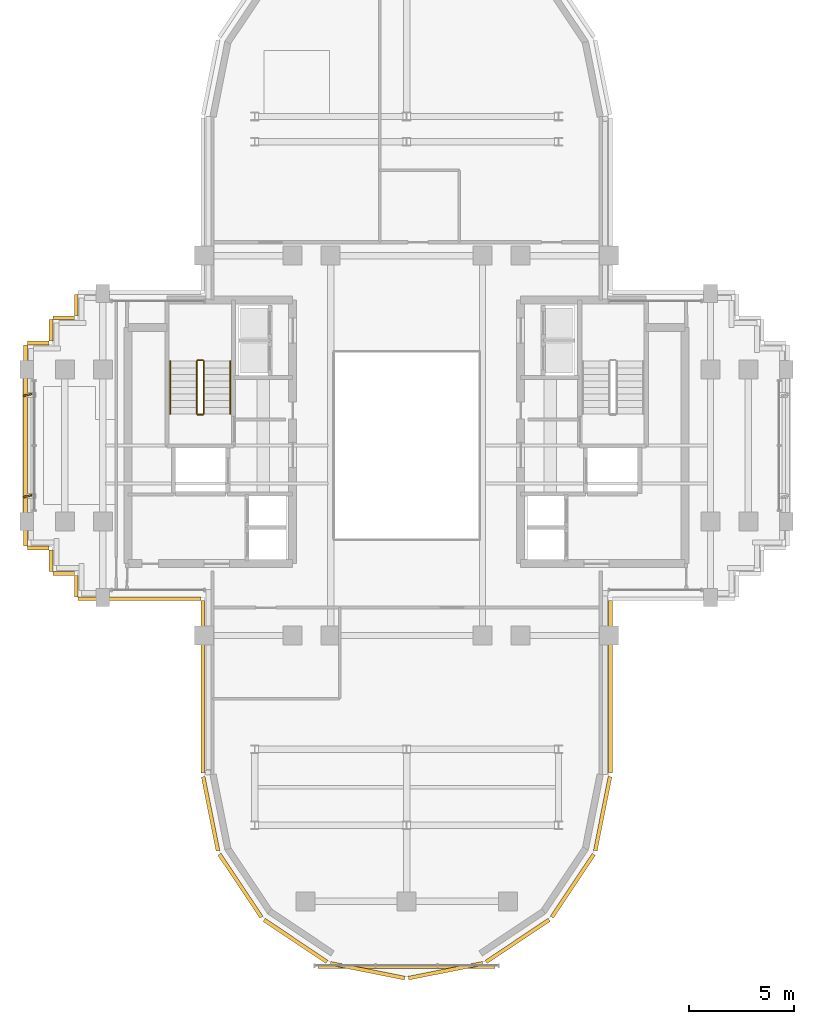
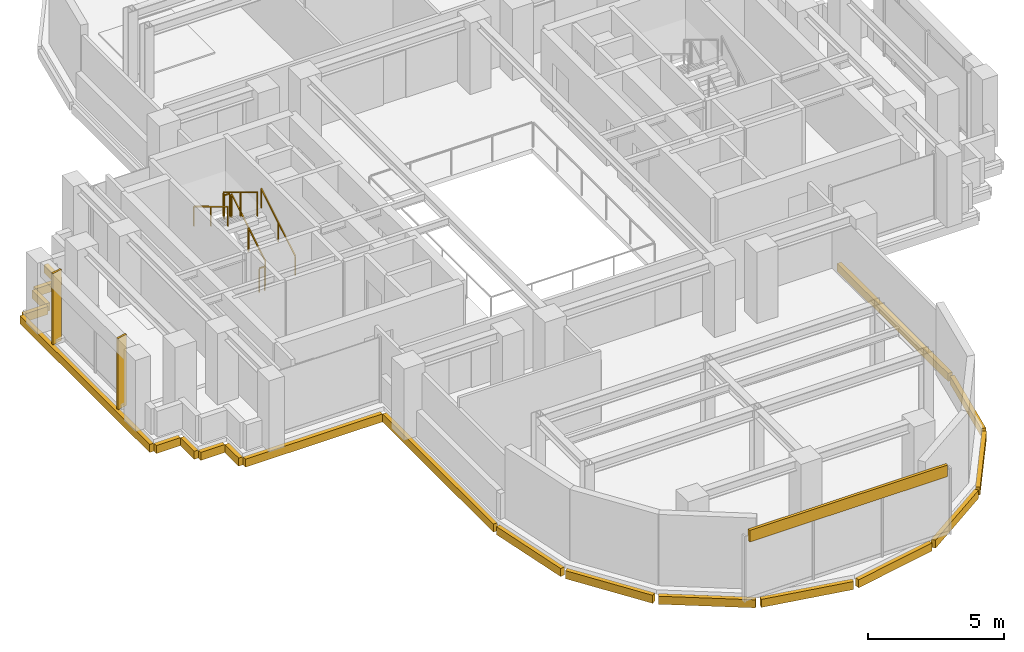
# One storey, part 9 of 12: 21 coverings, 6 railings, 2 shading devices.
"""IFC4 building model written with IfcOpenShell, lengths in metres."""

import ifcopenshell
import ifcopenshell.guid

model = None  # the IFC model being written
_history = None  # IfcOwnerHistory: only IFC2X3 demands one
_inside = {}  # id of a spatial element -> (the spatial element, [elements in it])
_under = {}  # id of a project, library or spatial element -> (it, [spatial elements below it])
_declared = {}  # id of a project -> (the project, [libraries it declares])
_typed = {}  # id of a type object -> (the type object, [elements of that type])
_made_of = {}  # id of a material, layer set ... -> (it, [elements and type objects made of it])


def new_model(schema):
    """Start an empty IFC model of exactly this schema.

    Asked for "IFC4X3", IfcOpenShell would pick the latest addendum, in which some entities
    have other attributes; the version numbers below select the first issue.
    IFC2X3 requires an IfcOwnerHistory on every rooted entity: one is made here for all.
    """
    global model, _history
    if schema == "IFC4X3":
        model = ifcopenshell.file(schema_version=(4, 3, 0, 0))
    else:
        model = ifcopenshell.file(schema=schema)
    _inside.clear()
    _under.clear()
    _declared.clear()
    _typed.clear()
    _made_of.clear()
    _history = None
    if model.schema == "IFC2X3":
        org = make("IfcOrganization", Name="unknown")
        user = make(
            "IfcPersonAndOrganization",
            ThePerson=make("IfcPerson", FamilyName="unknown"),
            TheOrganization=org,
        )
        app = make(
            "IfcApplication",
            ApplicationDeveloper=org,
            Version="unknown",
            ApplicationFullName="unknown",
            ApplicationIdentifier="unknown",
        )
        _history = make(
            "IfcOwnerHistory",
            OwningUser=user,
            OwningApplication=app,
            ChangeAction="ADDED",
            CreationDate=0,
        )
    return model


def make(cls, **values):
    """One entity of the class cls with the attributes given. An attribute that is None is left unset."""
    return model.create_entity(
        cls, **{name: value for name, value in values.items() if value is not None}
    )


def rooted(cls, **values):
    """An entity with a GlobalId (a new one), such as an element, a storey or a relation."""
    return make(cls, GlobalId=ifcopenshell.guid.new(), OwnerHistory=_history, **values)


def si_unit(unit_type, name, prefix=None):
    """IfcSIUnit, for example si_unit("LENGTHUNIT", "METRE", prefix="MILLI")."""
    return make("IfcSIUnit", UnitType=unit_type, Prefix=prefix, Name=name)


def assignment(units):
    """IfcUnitAssignment: the units of a project."""
    return None if units is None else make("IfcUnitAssignment", Units=units)


def point(xyz):
    """IfcCartesianPoint."""
    return None if xyz is None else make("IfcCartesianPoint", Coordinates=xyz)


def direction(xyz):
    """IfcDirection."""
    return None if xyz is None else make("IfcDirection", DirectionRatios=xyz)


def frame(location, z_axis=None, x_axis=None):
    """IfcAxis2Placement3D, a coordinate frame: its origin and axes. An axis left out is left unset."""
    return make(
        "IfcAxis2Placement3D",
        Location=point(location),
        Axis=direction(z_axis),
        RefDirection=direction(x_axis),
    )


def frame_2d(location, x_axis=None):
    """IfcAxis2Placement2D, a coordinate frame in the plane: its origin and x axis."""
    return make(
        "IfcAxis2Placement2D", Location=point(location), RefDirection=direction(x_axis)
    )


def origin():
    """The frame at (0, 0, 0) with its axes left unset."""
    return frame((0.0, 0.0, 0.0))


def origin_2d():
    """The frame at (0, 0) in the plane with its x axis left unset."""
    return frame_2d((0.0, 0.0))


def place(relative_to, where):
    """IfcLocalPlacement: puts the frame where relative to a parent placement (None: the world)."""
    return make(
        "IfcLocalPlacement", PlacementRelTo=relative_to, RelativePlacement=where
    )


def context(
    kind, dimensions, precision=None, world=None, true_north=None, identifier=None
):
    """IfcGeometricRepresentationContext, for example the 3D "Model" context."""
    return make(
        "IfcGeometricRepresentationContext",
        ContextIdentifier=identifier,
        ContextType=kind,
        CoordinateSpaceDimension=dimensions,
        Precision=precision,
        WorldCoordinateSystem=world,
        TrueNorth=true_north,
    )


def subcontext(parent, identifier, kind, view, scale=None):
    """IfcGeometricRepresentationSubContext, for example "Body" below "Model"."""
    return make(
        "IfcGeometricRepresentationSubContext",
        ContextIdentifier=identifier,
        ContextType=kind,
        ParentContext=parent,
        TargetScale=scale,
        TargetView=view,
    )


def project(units=None, contexts=None):
    """IfcProject with its units and contexts."""
    return rooted(
        "IfcProject",
        Name="project",
        RepresentationContexts=contexts,
        UnitsInContext=assignment(units),
    )


def spatial(cls, under=None, at=None, **own):
    """A site, building, storey or space (cls), placed at a placement, below another one or the project."""
    s = rooted(cls, ObjectPlacement=at, **own)
    if under is not None:
        _under.setdefault(under.id(), (under, []))[1].append(s)
    return s


def profile(cls, at=None, kind="AREA", **sizes):
    """A parametric profile (cls). Its sizes go by their IFC names, for example OverallWidth=200.0."""
    return make(cls, ProfileType=kind, Position=at, **sizes)


def rectangle(**sizes):
    """IfcRectangleProfileDef."""
    return profile("IfcRectangleProfileDef", **sizes)


def extrude(swept, where, along, depth):
    """IfcExtrudedAreaSolid: the profile swept, set in the frame where, extruded along a direction by depth."""
    return make(
        "IfcExtrudedAreaSolid",
        SweptArea=swept,
        Position=where,
        ExtrudedDirection=direction(along),
        Depth=depth,
    )


def shape(context_of_items, identifier, shape_type, items):
    """IfcShapeRepresentation: the items that make up one representation, for example the "Body"."""
    return make(
        "IfcShapeRepresentation",
        ContextOfItems=context_of_items,
        RepresentationIdentifier=identifier,
        RepresentationType=shape_type,
        Items=items,
    )


def source(mapping_origin, context_of_items, identifier, shape_type, items):
    """IfcRepresentationMap: a shape defined once, which mapped items show again and again."""
    return make(
        "IfcRepresentationMap",
        MappingOrigin=mapping_origin,
        MappedRepresentation=shape(context_of_items, identifier, shape_type, items),
    )


def transform(
    local_origin,
    x_axis=None,
    y_axis=None,
    z_axis=None,
    scale=None,
    scale2=None,
    scale3=None,
    uniform=True,
):
    """IfcCartesianTransformationOperator3D, or its non-uniform kind. x_axis, y_axis, z_axis: its Axis1, 2, 3."""
    if uniform:
        return make(
            "IfcCartesianTransformationOperator3D",
            Axis1=direction(x_axis),
            Axis2=direction(y_axis),
            LocalOrigin=point(local_origin),
            Scale=scale,
            Axis3=direction(z_axis),
        )
    return make(
        "IfcCartesianTransformationOperator3DnonUniform",
        Axis1=direction(x_axis),
        Axis2=direction(y_axis),
        LocalOrigin=point(local_origin),
        Scale=scale,
        Axis3=direction(z_axis),
        Scale2=scale2,
        Scale3=scale3,
    )


def mapped(mapping_source, mapping_target):
    """IfcMappedItem: shows the shape of a source again, moved by a transform."""
    return make(
        "IfcMappedItem", MappingSource=mapping_source, MappingTarget=mapping_target
    )


def material(Name=None, Category=None):
    """IfcMaterial."""
    return make("IfcMaterial", Name=Name, Category=Category)


def layer(
    of_material, thickness, ventilated=None, Name=None, Category=None, Priority=None
):
    """IfcMaterialLayer: one layer of a wall or slab, of a material (None: an air gap)."""
    return make(
        "IfcMaterialLayer",
        Material=of_material,
        LayerThickness=thickness,
        IsVentilated=ventilated,
        Name=Name,
        Category=Category,
        Priority=Priority,
    )


def layer_set(layers, Name=None):
    """IfcMaterialLayerSet."""
    return make("IfcMaterialLayerSet", MaterialLayers=layers, LayerSetName=Name)


def made_of(thing, what):
    """Note that an element or type object is made of a material, layer set ...; save() writes the relation."""
    if what is not None:
        _made_of.setdefault(what.id(), (what, []))[1].append(thing)
    return thing


def type_object(cls, material=None, **own):
    """A type object (cls), such as IfcWallType, which elements share."""
    return made_of(rooted(cls, **own), material)


def element(
    cls,
    number,
    at=None,
    inside=None,
    cuts=None,
    type_object=None,
    material=None,
    context=None,
    identifier="Body",
    shape_type=None,
    held_by="IfcProductDefinitionShape",
    body=None,
    shapes=None,
    **own,
):
    """One element of the class cls, such as IfcWall. Its Tag is "e" and its number.

    at: its placement. inside: the storey or other place that contains it. cuts: it is an
    opening in that element (IfcRelVoidsElement). A single representation is given by context,
    identifier, shape_type and body (its items); several are given by shapes. held_by: the class
    of the entity that holds the representations. save() writes the other relations.
    """
    e = rooted(cls, Tag="e%d" % number, ObjectPlacement=at, **own)
    if body is not None:
        shapes = [shape(context, identifier, shape_type, body)]
    if shapes is not None:
        e.Representation = make(held_by, Representations=shapes)
    if inside is not None:
        _inside.setdefault(inside.id(), (inside, []))[1].append(e)
    if cuts is not None:
        rooted(
            "IfcRelVoidsElement", RelatingBuildingElement=cuts, RelatedOpeningElement=e
        )
    if type_object is not None:
        _typed.setdefault(type_object.id(), (type_object, []))[1].append(e)
    return made_of(e, material)


def aggregate(whole, parts):
    """IfcRelAggregates: a whole, such as a stair, and the parts it consists of."""
    return rooted("IfcRelAggregates", RelatingObject=whole, RelatedObjects=parts)


def save(model, path):
    """Write the relations noted so far, then the file.

    IfcRelAggregates (storeys below a building ...), IfcRelContainedInSpatialStructure (elements
    in a storey), IfcRelDefinesByType, IfcRelAssociatesMaterial and IfcRelDeclares: one each for
    every whole, place, type object, material and project.
    """
    for whole, parts in _under.values():
        aggregate(whole, parts)
    for where, things in _inside.values():
        rooted(
            "IfcRelContainedInSpatialStructure",
            RelatedElements=things,
            RelatingStructure=where,
        )
    for kind, things in _typed.values():
        rooted("IfcRelDefinesByType", RelatedObjects=things, RelatingType=kind)
    for what, things in _made_of.values():
        rooted("IfcRelAssociatesMaterial", RelatedObjects=things, RelatingMaterial=what)
    for by, libraries in _declared.values():
        rooted("IfcRelDeclares", RelatingContext=by, RelatedDefinitions=libraries)
    model.write(path)


model = new_model("IFC4")

# Units and contexts
model_context = context("Model", 3, precision=1e-05, world=origin(), true_north=direction((0.0, 1.0)))
body_context = subcontext(model_context, "Body", "Model", "MODEL_VIEW")
ifc_project = project(units=[si_unit("LENGTHUNIT", "METRE"), si_unit("AREAUNIT", "SQUARE_METRE"), si_unit("VOLUMEUNIT", "CUBIC_METRE"), si_unit("PLANEANGLEUNIT", "RADIAN"), si_unit("MASSUNIT", "GRAM", prefix="KILO")], contexts=[model_context])

# Site, building, storey
site_placement = place(None, origin())
site = spatial("IfcSite", under=ifc_project, at=site_placement, CompositionType="ELEMENT")
building_placement = place(site_placement, origin())
building = spatial("IfcBuilding", under=site, at=building_placement, Name="Keilestroom Media Tower", CompositionType="ELEMENT")
storey_placement = place(building_placement, frame((0.0, 0.0, 177.39990234375)))
storey = spatial("IfcBuildingStorey", under=building, at=storey_placement, Name="L48", CompositionType="ELEMENT", Elevation=177.39990234375)

# Railings
ifc_material_1 = material(Name="Brushed Stainless Steel 1.4301", Category="steel")
railing_type_1 = type_object("IfcRailingType", Name="Stair-Pitch-Handrail-920", PredefinedType="HANDRAIL", material=ifc_material_1)
railing_1_placement = place(storey_placement, frame((-8.35009765625, 1.5, 0.18896484375)))
element("IfcRailing", 1, at=railing_1_placement, inside=storey, type_object=railing_type_1, Name="L48 ST-1 stair handrail 1", PredefinedType="HANDRAIL", context=body_context, shape_type="SweptSolid", body=[
    extrude(rectangle(XDim=0.048095703125, YDim=0.048095703125, at=origin_2d()), frame((0.0, 0.0, 0.8759765625), z_axis=(0.0, 0.855433747314, 0.517912255074), x_axis=(-1.0, 0.0, 0.0)), (0.0, 0.0, 1.0), 2.91796875),
    extrude(rectangle(XDim=0.0419921875, YDim=0.0419921875, at=origin_2d()), origin(), (0.0, 0.0, 1.0), 0.84375),
    extrude(rectangle(XDim=0.0419921875, YDim=0.0419921875, at=origin_2d()), frame((0.0, 1.248046875, 0.755615234375)), (0.0, 0.0, 1.0), 0.84375),
    extrude(rectangle(XDim=0.0419921875, YDim=0.0419921875, at=origin_2d()), frame((0.0, 2.49609375, 1.51123046875)), (0.0, 0.0, 1.0), 0.84375),
])
railing_2_placement = place(storey_placement, frame((-11.2099609375, 3.99609375, 1.888916015625)))
element("IfcRailing", 2, at=railing_2_placement, inside=storey, type_object=railing_type_1, Name="L48 ST-1 stair handrail 2", PredefinedType="HANDRAIL", context=body_context, shape_type="SweptSolid", body=[
    extrude(rectangle(XDim=0.048095703125, YDim=0.048095703125, at=origin_2d()), frame((0.0, 0.0, 0.8759765625), z_axis=(0.0, -0.855433747314, 0.517912255074), x_axis=(1.0, 0.0, 0.0)), (0.0, 0.0, 1.0), 2.91796875),
    extrude(rectangle(XDim=0.0419921875, YDim=0.0419921875, at=origin_2d()), origin(), (0.0, 0.0, 1.0), 0.84375),
    extrude(rectangle(XDim=0.0419921875, YDim=0.0419921875, at=origin_2d()), frame((0.0, -1.248046875, 0.755615234375)), (0.0, 0.0, 1.0), 0.84375),
    extrude(rectangle(XDim=0.0419921875, YDim=0.0419921875, at=origin_2d()), frame((0.0, -2.49609375, 1.51123046875)), (0.0, 0.0, 1.0), 0.84375),
])
ifc_material_2 = material(Name="Painted Steel Balustrade", Category="steel")
railing_type_2 = type_object("IfcRailingType", Name="Stair-Well-And-Landing-Guard-1100", PredefinedType="GUARDRAIL", material=ifc_material_2)
railing_3_placement = place(storey_placement, frame((-9.610107421875, 1.5, 0.18896484375)))
element("IfcRailing", 3, at=railing_3_placement, inside=storey, type_object=railing_type_2, Name="L48 ST-1 stair guard 1", PredefinedType="GUARDRAIL", context=body_context, shape_type="SweptSolid", body=[
    extrude(rectangle(XDim=0.048095703125, YDim=0.048095703125, at=origin_2d()), frame((0.0, 0.0, 1.076171875), z_axis=(0.0, 0.855433747314, 0.517912255074), x_axis=(-1.0, 0.0, 0.0)), (0.0, 0.0, 1.0), 2.91796875),
    extrude(rectangle(XDim=0.0419921875, YDim=0.0419921875, at=origin_2d()), origin(), (0.0, 0.0, 1.0), 1.0439453125),
    extrude(rectangle(XDim=0.0419921875, YDim=0.0419921875, at=origin_2d()), frame((0.0, 1.248046875, 0.755615234375)), (0.0, 0.0, 1.0), 1.0439453125),
    extrude(rectangle(XDim=0.0419921875, YDim=0.0419921875, at=origin_2d()), frame((0.0, 2.49609375, 1.51123046875)), (0.0, 0.0, 1.0), 1.0439453125),
])
railing_4_placement = place(storey_placement, frame((-9.659912109375, 4.0458984375, 1.7001953125)))
element("IfcRailing", 4, at=railing_4_placement, inside=storey, type_object=railing_type_2, Name="L48 ST-1 stair guard 2", PredefinedType="GUARDRAIL", context=body_context, shape_type="SweptSolid", body=[
    extrude(rectangle(XDim=0.048095703125, YDim=0.048095703125, at=origin_2d()), frame((0.0, 0.0, 1.076171875), z_axis=(-1.0, 0.0, 0.0), x_axis=(0.0, -1.0, 0.0)), (0.0, 0.0, 1.0), 0.239990234375),
    extrude(rectangle(XDim=0.0419921875, YDim=0.0419921875, at=origin_2d()), origin(), (0.0, 0.0, 1.0), 1.0439453125),
    extrude(rectangle(XDim=0.0419921875, YDim=0.0419921875, at=origin_2d()), frame((-0.239990234375, 0.0, 0.0)), (0.0, 0.0, 1.0), 1.0439453125),
])
railing_5_placement = place(storey_placement, frame((-9.949951171875, 3.99609375, 1.888916015625)))
element("IfcRailing", 5, at=railing_5_placement, inside=storey, type_object=railing_type_2, Name="L48 ST-1 stair guard 3", PredefinedType="GUARDRAIL", context=body_context, shape_type="SweptSolid", body=[
    extrude(rectangle(XDim=0.048095703125, YDim=0.048095703125, at=origin_2d()), frame((0.0, 0.0, 1.076171875), z_axis=(0.0, -0.855433747314, 0.517912255074), x_axis=(1.0, 0.0, 0.0)), (0.0, 0.0, 1.0), 2.91796875),
    extrude(rectangle(XDim=0.0419921875, YDim=0.0419921875, at=origin_2d()), origin(), (0.0, 0.0, 1.0), 1.0439453125),
    extrude(rectangle(XDim=0.0419921875, YDim=0.0419921875, at=origin_2d()), frame((0.0, -1.248046875, 0.755615234375)), (0.0, 0.0, 1.0), 1.0439453125),
    extrude(rectangle(XDim=0.0419921875, YDim=0.0419921875, at=origin_2d()), frame((0.0, -2.49609375, 1.51123046875)), (0.0, 0.0, 1.0), 1.0439453125),
])
railing_6_placement = place(storey_placement, frame((-9.659912109375, 1.449951171875, 0.0)))
element("IfcRailing", 6, at=railing_6_placement, inside=storey, type_object=railing_type_2, Name="L48 ST-1 stair guard 4", PredefinedType="GUARDRAIL", context=body_context, shape_type="SweptSolid", body=[
    extrude(rectangle(XDim=0.048095703125, YDim=0.048095703125, at=origin_2d()), frame((0.0, 0.0, 1.076171875), z_axis=(-1.0, 0.0, 0.0), x_axis=(0.0, -1.0, 0.0)), (0.0, 0.0, 1.0), 0.239990234375),
    extrude(rectangle(XDim=0.0419921875, YDim=0.0419921875, at=origin_2d()), origin(), (0.0, 0.0, 1.0), 1.0439453125),
    extrude(rectangle(XDim=0.0419921875, YDim=0.0419921875, at=origin_2d()), frame((-0.239990234375, 0.0, 0.0)), (0.0, 0.0, 1.0), 1.0439453125),
])

# Covering
ifc_material_3 = material(Name="Precast concrete C40/50", Category="concrete")
ifc_layer = layer(ifc_material_3, 0.1201171875)
ifc_layer_set = layer_set([ifc_layer], Name="Precast concrete C40/50")
covering_type = type_object("IfcCoveringType", Name="Exterior-Precast-Spandrel-Cladding-Panel-120", PredefinedType="CLADDING", material=ifc_layer_set)
shared_shape_1 = source(origin(), body_context, "Body", "SweptSolid", [
    extrude(rectangle(XDim=8.39990234375, YDim=0.1201171875, at=origin_2d()), origin(), (0.0, 0.0, 1.0), 0.52001953125),
])
covering_1_placement = place(storey_placement, frame((0.0, -24.719970703125, 2.690185546875), z_axis=(0.0, 0.0, 1.0), x_axis=(1.0, 0.0, 0.0)))
element("IfcCovering", 7, at=covering_1_placement, inside=storey, type_object=covering_type, Name="L48 Precast Spandrel Cladding S", PredefinedType="CLADDING", context=body_context, shape_type="MappedRepresentation", body=[
    mapped(shared_shape_1, transform((0.0, 0.0, 0.0), x_axis=(1.0, 0.0, 0.0), y_axis=(0.0, 1.0, 0.0), z_axis=(0.0, 0.0, 1.0), scale=1.0)),
])

# Shading devices
ifc_material_4 = material(Name="Bronze Anodised Aluminium", Category="aluminium")
shading_device_type = type_object("IfcShadingDeviceType", Name="Facade-Vertical-Sunshade-Fin-SHD-1", PredefinedType="USERDEFINED", material=ifc_material_4)
shared_shape_2 = source(origin(), body_context, "Body", "SweptSolid", [
    extrude(rectangle(XDim=0.419921875, YDim=0.080078125, at=origin_2d()), origin(), (0.0, 0.0, 1.0), 3.199951171875),
])
for number, where, z_axis, x_axis, name in (
    (8, (-17.969970703125, -2.39990234375, 0.0), (0.0, 0.0, 1.0), (0.97480014384, 0.223079984689, 0.0), "L48 Twisting Sunshade Fin SHD-1 065"),
    (9, (-17.969970703125, 2.39990234375, 0.0), (0.0, 0.0, 1.0), (0.97480014384, 0.223079984689, 0.0), "L48 Twisting Sunshade Fin SHD-1 066"),
):
    element("IfcShadingDevice", number, at=place(storey_placement, frame(where, z_axis=z_axis, x_axis=x_axis)), inside=storey, type_object=shading_device_type, Name=name, ObjectType="SUNSHADE", PredefinedType="USERDEFINED", context=body_context, shape_type="MappedRepresentation", body=[
        mapped(shared_shape_2, transform((0.0, 0.0, 0.0), x_axis=(1.0, 0.0, 0.0), y_axis=(0.0, 1.0, 0.0), z_axis=(0.0, 0.0, 1.0), scale=1.0)),
    ])

# Coverings
shared_shape_3 = source(origin(), body_context, "Body", "SweptSolid", [
    extrude(rectangle(XDim=1.02001953125, YDim=0.179931640625, at=origin_2d()), origin(), (0.0, 0.0, 1.0), 0.360107421875),
])
for number, where, z_axis, x_axis, name in (
    (10, (-15.659912109375, -6.659912109375, -0.5400390625), (0.0, 0.0, 1.0), (0.0, 1.0, 0.0), "L48 Precast Slab-Edge Fascia Cornice 17"),
    (11, (-16.260009765625, -6.06005859375, -0.5400390625), (0.0, 0.0, 1.0), (-1.0, 0.0, 0.0), "L48 Precast Slab-Edge Fascia Cornice 18"),
    (12, (-16.860107421875, -5.4599609375, -0.5400390625), (0.0, 0.0, 1.0), (0.0, 1.0, 0.0), "L48 Precast Slab-Edge Fascia Cornice 19"),
    (13, (-17.4599609375, -4.860107421875, -0.5400390625), (0.0, 0.0, 1.0), (-1.0, 0.0, 0.0), "L48 Precast Slab-Edge Fascia Cornice 20"),
    (14, (-17.4599609375, 4.860107421875, -0.5400390625), (0.0, 0.0, 1.0), (1.0, 0.0, 0.0), "L48 Precast Slab-Edge Fascia Cornice 22"),
    (15, (-16.860107421875, 5.4599609375, -0.5400390625), (0.0, 0.0, 1.0), (0.0, 1.0, 0.0), "L48 Precast Slab-Edge Fascia Cornice 23"),
    (16, (-16.260009765625, 6.06005859375, -0.5400390625), (0.0, 0.0, 1.0), (1.0, 0.0, 0.0), "L48 Precast Slab-Edge Fascia Cornice 24"),
    (17, (-15.659912109375, 6.659912109375, -0.5400390625), (0.0, 0.0, 1.0), (0.0, 1.0, 0.0), "L48 Precast Slab-Edge Fascia Cornice 25"),
):
    element("IfcCovering", number, at=place(storey_placement, frame(where, z_axis=z_axis, x_axis=x_axis)), inside=storey, type_object=covering_type, Name=name, PredefinedType="CLADDING", context=body_context, shape_type="MappedRepresentation", body=[
        mapped(shared_shape_3, transform((0.0, 0.0, 0.0), x_axis=(1.0, 0.0, 0.0), y_axis=(0.0, 1.0, 0.0), z_axis=(0.0, 0.0, 1.0), scale=1.0)),
    ])
shared_shape_4 = source(origin(), body_context, "Body", "SweptSolid", [
    extrude(rectangle(XDim=8.166015625, YDim=0.179931640625, at=origin_2d()), origin(), (0.0, 0.0, 1.0), 0.360107421875),
])
for number, where, z_axis, x_axis, name in (
    (18, (9.659912109375, -11.43310546875, -0.5400390625), (0.0, 0.0, 1.0), (0.0, -1.0, 0.0), "L48 Precast Slab-Edge Fascia Cornice 06"),
    (19, (-9.659912109375, -11.43310546875, -0.5400390625), (0.0, 0.0, 1.0), (0.0, 1.0, 0.0), "L48 Precast Slab-Edge Fascia Cornice 15"),
):
    element("IfcCovering", number, at=place(storey_placement, frame(where, z_axis=z_axis, x_axis=x_axis)), inside=storey, type_object=covering_type, Name=name, PredefinedType="CLADDING", context=body_context, shape_type="MappedRepresentation", body=[
        mapped(shared_shape_4, transform((0.0, 0.0, 0.0), x_axis=(1.0, 0.0, 0.0), y_axis=(0.0, 1.0, 0.0), z_axis=(0.0, 0.0, 1.0), scale=1.0)),
    ])
shared_shape_5 = source(origin(), body_context, "Body", "SweptSolid", [
    extrude(rectangle(XDim=3.58349609375, YDim=0.179931640625, at=origin_2d()), origin(), (0.0, 0.0, 1.0), 0.360107421875),
])
for number, where, z_axis, x_axis, name in (
    (20, (9.29296875, -17.45166015625, -0.5400390625), (0.0, 0.0, 1.0), (-0.195098880975, -0.980783577882, 0.0), "L48 Precast Slab-Edge Fascia Cornice 07"),
    (21, (-9.29296875, -17.45166015625, -0.5400390625), (0.0, 0.0, 1.0), (-0.195098880975, 0.980783577882, 0.0), "L48 Precast Slab-Edge Fascia Cornice 14"),
):
    element("IfcCovering", number, at=place(storey_placement, frame(where, z_axis=z_axis, x_axis=x_axis)), inside=storey, type_object=covering_type, Name=name, PredefinedType="CLADDING", context=body_context, shape_type="MappedRepresentation", body=[
        mapped(shared_shape_5, transform((0.0, 0.0, 0.0), x_axis=(1.0, 0.0, 0.0), y_axis=(0.0, 1.0, 0.0), z_axis=(0.0, 0.0, 1.0), scale=1.0)),
    ])
shared_shape_6 = source(origin(), body_context, "Body", "SweptSolid", [
    extrude(rectangle(XDim=3.589599609375, YDim=0.179931640625, at=origin_2d()), origin(), (0.0, 0.0, 1.0), 0.360107421875),
])
for number, where, z_axis, x_axis, name in (
    (22, (7.878662109375, -20.8642578125, -0.5400390625), (0.0, 0.0, 1.0), (-0.555574586577, -0.831466703332, 0.0), "L48 Precast Slab-Edge Fascia Cornice 08"),
    (23, (5.264404296875, -23.478515625, -0.5400390625), (0.0, 0.0, 1.0), (-0.831466703332, -0.555574586577, 0.0), "L48 Precast Slab-Edge Fascia Cornice 09"),
    (24, (1.8486328125, -24.893310546875, -0.5400390625), (0.0, 0.0, 1.0), (-0.980783577882, -0.195098880975, 0.0), "L48 Precast Slab-Edge Fascia Cornice 10"),
    (25, (-1.8486328125, -24.893310546875, -0.5400390625), (0.0, 0.0, 1.0), (-0.980783577882, 0.195098880975, 0.0), "L48 Precast Slab-Edge Fascia Cornice 11"),
    (26, (-5.264404296875, -23.478515625, -0.5400390625), (0.0, 0.0, 1.0), (-0.831466703332, 0.555574586577, 0.0), "L48 Precast Slab-Edge Fascia Cornice 12"),
    (27, (-7.878662109375, -20.8642578125, -0.5400390625), (0.0, 0.0, 1.0), (-0.555574586577, 0.831466703332, 0.0), "L48 Precast Slab-Edge Fascia Cornice 13"),
):
    element("IfcCovering", number, at=place(storey_placement, frame(where, z_axis=z_axis, x_axis=x_axis)), inside=storey, type_object=covering_type, Name=name, PredefinedType="CLADDING", context=body_context, shape_type="MappedRepresentation", body=[
        mapped(shared_shape_6, transform((0.0, 0.0, 0.0), x_axis=(1.0, 0.0, 0.0), y_axis=(0.0, 1.0, 0.0), z_axis=(0.0, 0.0, 1.0), scale=1.0)),
    ])
shared_shape_7 = source(origin(), body_context, "Body", "SweptSolid", [
    extrude(rectangle(XDim=9.5400390625, YDim=0.179931640625, at=origin_2d()), origin(), (0.0, 0.0, 1.0), 0.360107421875),
])
covering_2_placement = place(storey_placement, frame((-18.06005859375, 0.0, -0.5400390625), z_axis=(0.0, 0.0, 1.0), x_axis=(0.0, 1.0, 0.0)))
element("IfcCovering", 28, at=covering_2_placement, inside=storey, type_object=covering_type, Name="L48 Precast Slab-Edge Fascia Cornice 21", PredefinedType="CLADDING", context=body_context, shape_type="MappedRepresentation", body=[
    mapped(shared_shape_7, transform((0.0, 0.0, 0.0), x_axis=(1.0, 0.0, 0.0), y_axis=(0.0, 1.0, 0.0), z_axis=(0.0, 0.0, 1.0), scale=1.0)),
])
shared_shape_8 = source(origin(), body_context, "Body", "SweptSolid", [
    extrude(rectangle(XDim=5.820068359375, YDim=0.179931640625, at=origin_2d()), origin(), (0.0, 0.0, 1.0), 0.360107421875),
])
covering_3_placement = place(storey_placement, frame((-12.659912109375, -7.260009765625, -0.5400390625), z_axis=(0.0, 0.0, 1.0), x_axis=(-1.0, 0.0, 0.0)))
element("IfcCovering", 29, at=covering_3_placement, inside=storey, type_object=covering_type, Name="L48 Precast Slab-Edge Fascia Cornice 16", PredefinedType="CLADDING", context=body_context, shape_type="MappedRepresentation", body=[
    mapped(shared_shape_8, transform((0.0, 0.0, 0.0), x_axis=(1.0, 0.0, 0.0), y_axis=(0.0, 1.0, 0.0), z_axis=(0.0, 0.0, 1.0), scale=1.0)),
])

save(model, "model.ifc")
